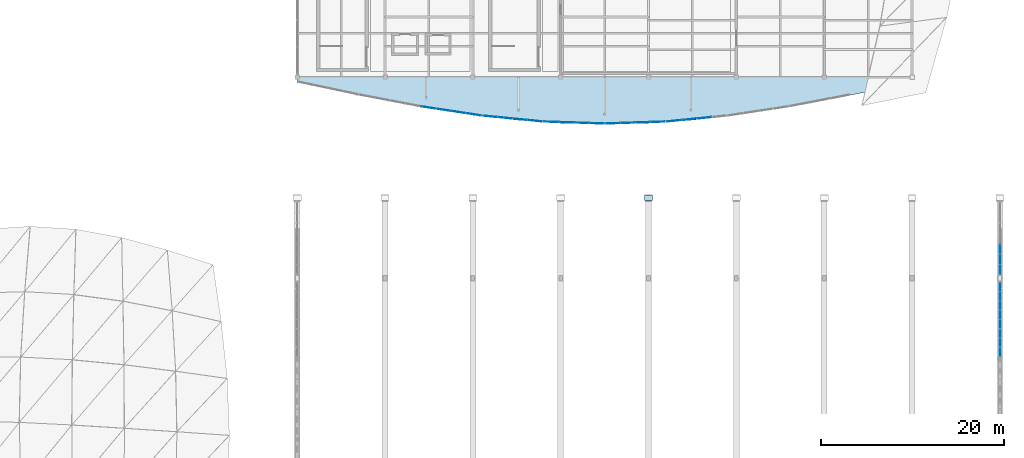
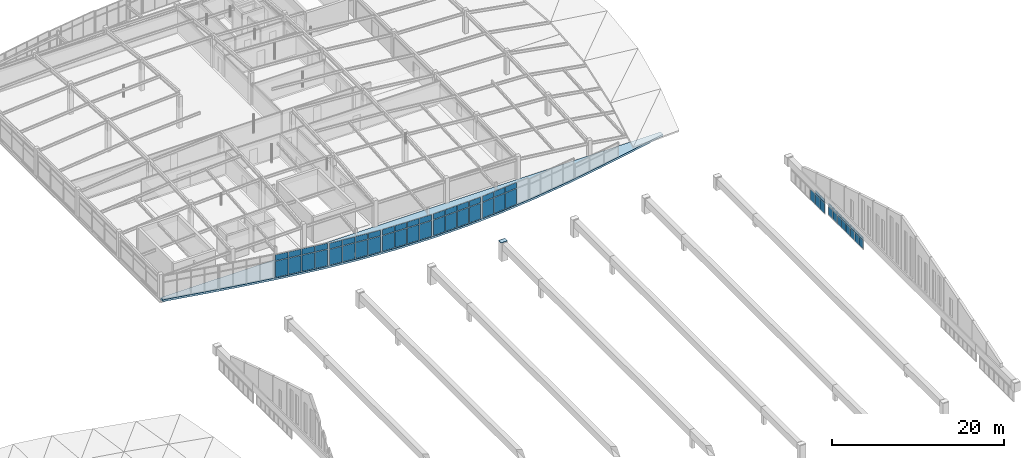
# One storey, part 54 of 65: 60 plates, 1 slab, 7 elements without a shape of their own.
"""IFC4 building model written with IfcOpenShell, lengths in metres."""

from ifc_helpers import new_model, si_unit, direction, frame, origin, origin_2d, place, context, subcontext, project, spatial, polyline, rectangle, outline, extrude, material, layer, layer_set, type_object, element, aggregate, save


model = new_model("IFC4")

# Units and contexts
model_context = context("Model", 3, precision=1e-05, world=origin(), true_north=direction((0.0, 1.0)))
body_context = subcontext(model_context, "Body", "Model", "MODEL_VIEW")
ifc_project = project(units=[si_unit("LENGTHUNIT", "METRE"), si_unit("AREAUNIT", "SQUARE_METRE"), si_unit("VOLUMEUNIT", "CUBIC_METRE"), si_unit("PLANEANGLEUNIT", "RADIAN"), si_unit("MASSUNIT", "GRAM", prefix="KILO")], contexts=[model_context])

# Site, building, storey
site_placement = place(None, origin())
site = spatial("IfcSite", under=ifc_project, at=site_placement, CompositionType="ELEMENT")
building_placement = place(site_placement, origin())
building = spatial("IfcBuilding", under=site, at=building_placement, Name="Chalmorin Arch Market", CompositionType="ELEMENT")
storey_placement = place(building_placement, frame((0.0, 0.0, 14.10009765625)))
storey = spatial("IfcBuildingStorey", under=building, at=storey_placement, Name="L03", CompositionType="ELEMENT", Elevation=14.10009765625)

# Plate
ifc_material_1 = material(Name="Steel A572 Grade 50", Category="steel")
ifc_layer_1 = layer(ifc_material_1, 0.035888671875)
ifc_layer_set_1 = layer_set([ifc_layer_1], Name="Steel A572 Grade 50")
plate_type_1 = type_object("IfcPlateType", Name="ArchSpringBasePlate-900x600x36", PredefinedType="SHEET", material=ifc_layer_set_1)
plate_1_placement = place(storey_placement, frame((86.39990234375, 58.800048828125, 2.60009765625), z_axis=(0.0, 0.0, 1.0), x_axis=(1.0, 0.0, 0.0)))
element("IfcPlate", 1, at=plate_1_placement, inside=storey, type_object=plate_type_1, Name="GP-02-038", PredefinedType="SHEET", context=body_context, shape_type="SweptSolid", body=[
    extrude(rectangle(XDim=0.89990234375, YDim=0.60009765625, at=origin_2d()), origin(), (0.0, 0.0, 1.0), 0.035888671875),
])

# Curtain wall, plates
ifc_material_2 = material(Name="Aluminium 6063-T6", Category="aluminium")
ifc_layer_2 = layer(ifc_material_2, 0.159912109375)
ifc_layer_set_2 = layer_set([ifc_layer_2], Name="Aluminium 6063-T6")
curtain_wall_type_1 = type_object("IfcCurtainWallType", Name="GableTympanumCurtainWall-CW4-8130x1780", PredefinedType="NOTDEFINED", material=ifc_layer_set_2)
curtain_wall_1_placement = place(storey_placement, origin())
curtain_wall_1 = element("IfcCurtainWall", 2, at=curtain_wall_1_placement, inside=storey, type_object=curtain_wall_type_1, Name="CW-04-043", PredefinedType="NOTDEFINED")
ifc_material_3 = material(Name="Powder-coated Aluminium Panel", Category="aluminium")
ifc_layer_3 = layer(ifc_material_3, 0.0400390625)
ifc_layer_set_3 = layer_set([ifc_layer_3], Name="Powder-coated Aluminium Panel")
plate_type_2 = type_object("IfcPlateType", Name="ShadowboxSpandrelPanel-40", PredefinedType="CURTAIN_PANEL", material=ifc_layer_set_3)
plate_2_placement = place(storey_placement, frame((124.800048828125, 41.970458984375, -0.269775390625), z_axis=(0.0, 0.0, 1.0), x_axis=(0.0, 1.0, 0.0)))
plate_2 = element("IfcPlate", 3, at=plate_2_placement, type_object=plate_type_2, Name="SP-40-043-01B", PredefinedType="CURTAIN_PANEL", context=body_context, shape_type="SweptSolid", body=[
    extrude(rectangle(XDim=0.935791015625, YDim=0.0400390625, at=origin_2d()), origin(), (0.0, 0.0, 1.0), 0.384765625),
])
plate_3_placement = place(storey_placement, frame((124.800048828125, 42.986328125, -0.269775390625), z_axis=(0.0, 0.0, 1.0), x_axis=(0.0, 1.0, 0.0)))
plate_3 = element("IfcPlate", 4, at=plate_3_placement, type_object=plate_type_2, Name="SP-40-043-02B", PredefinedType="CURTAIN_PANEL", context=body_context, shape_type="SweptSolid", body=[
    extrude(rectangle(XDim=0.935791015625, YDim=0.0400390625, at=origin_2d()), origin(), (0.0, 0.0, 1.0), 0.384765625),
])
plate_4_placement = place(storey_placement, frame((124.800048828125, 44.002197265625, -0.269775390625), z_axis=(0.0, 0.0, 1.0), x_axis=(0.0, 1.0, 0.0)))
plate_4 = element("IfcPlate", 5, at=plate_4_placement, type_object=plate_type_2, Name="SP-40-043-03B", PredefinedType="CURTAIN_PANEL", context=body_context, shape_type="SweptSolid", body=[
    extrude(rectangle(XDim=0.935791015625, YDim=0.0400390625, at=origin_2d()), origin(), (0.0, 0.0, 1.0), 0.384765625),
])
plate_5_placement = place(storey_placement, frame((124.800048828125, 45.018310546875, -0.269775390625), z_axis=(0.0, 0.0, 1.0), x_axis=(0.0, 1.0, 0.0)))
plate_5 = element("IfcPlate", 6, at=plate_5_placement, type_object=plate_type_2, Name="SP-40-043-04B", PredefinedType="CURTAIN_PANEL", context=body_context, shape_type="SweptSolid", body=[
    extrude(rectangle(XDim=0.935791015625, YDim=0.0400390625, at=origin_2d()), origin(), (0.0, 0.0, 1.0), 0.384765625),
])
plate_6_placement = place(storey_placement, frame((124.800048828125, 46.0341796875, -0.269775390625), z_axis=(0.0, 0.0, 1.0), x_axis=(0.0, 1.0, 0.0)))
plate_6 = element("IfcPlate", 7, at=plate_6_placement, type_object=plate_type_2, Name="SP-40-043-05B", PredefinedType="CURTAIN_PANEL", context=body_context, shape_type="SweptSolid", body=[
    extrude(rectangle(XDim=0.935791015625, YDim=0.0400390625, at=origin_2d()), origin(), (0.0, 0.0, 1.0), 0.384765625),
])
plate_7_placement = place(storey_placement, frame((124.800048828125, 47.050048828125, -0.269775390625), z_axis=(0.0, 0.0, 1.0), x_axis=(0.0, 1.0, 0.0)))
plate_7 = element("IfcPlate", 8, at=plate_7_placement, type_object=plate_type_2, Name="SP-40-043-06B", PredefinedType="CURTAIN_PANEL", context=body_context, shape_type="SweptSolid", body=[
    extrude(rectangle(XDim=0.935791015625, YDim=0.0400390625, at=origin_2d()), origin(), (0.0, 0.0, 1.0), 0.384765625),
])
plate_8_placement = place(storey_placement, frame((124.800048828125, 48.066162109375, -0.269775390625), z_axis=(0.0, 0.0, 1.0), x_axis=(0.0, 1.0, 0.0)))
plate_8 = element("IfcPlate", 9, at=plate_8_placement, type_object=plate_type_2, Name="SP-40-043-07B", PredefinedType="CURTAIN_PANEL", context=body_context, shape_type="SweptSolid", body=[
    extrude(rectangle(XDim=0.935791015625, YDim=0.0400390625, at=origin_2d()), origin(), (0.0, 0.0, 1.0), 0.384765625),
])
plate_9_placement = place(storey_placement, frame((124.800048828125, 49.08203125, -0.269775390625), z_axis=(0.0, 0.0, 1.0), x_axis=(0.0, 1.0, 0.0)))
plate_9 = element("IfcPlate", 10, at=plate_9_placement, type_object=plate_type_2, Name="SP-40-043-08B", PredefinedType="CURTAIN_PANEL", context=body_context, shape_type="SweptSolid", body=[
    extrude(rectangle(XDim=0.935791015625, YDim=0.0400390625, at=origin_2d()), origin(), (0.0, 0.0, 1.0), 0.384765625),
])

ifc_layer_4 = layer(ifc_material_2, 0.159912109375)
ifc_layer_set_4 = layer_set([ifc_layer_4], Name="Aluminium 6063-T6")
curtain_wall_type_2 = type_object("IfcCurtainWallType", Name="GableTympanumCurtainWall-CW4-7880x2180", PredefinedType="NOTDEFINED", material=ifc_layer_set_4)
curtain_wall_2_placement = place(storey_placement, origin())
curtain_wall_2 = element("IfcCurtainWall", 11, at=curtain_wall_2_placement, inside=storey, type_object=curtain_wall_type_2, Name="CW-04-044", PredefinedType="NOTDEFINED")
plate_10_placement = place(storey_placement, frame((124.800048828125, 50.972900390625, -0.3818359375), z_axis=(0.0, 0.0, 1.0), x_axis=(0.0, 1.0, 0.0)))
plate_10 = element("IfcPlate", 12, at=plate_10_placement, type_object=plate_type_2, Name="SP-40-044-01B", PredefinedType="CURTAIN_PANEL", context=body_context, shape_type="SweptSolid", body=[
    extrude(rectangle(XDim=1.045654296875, YDim=0.0400390625, at=origin_2d()), origin(), (0.0, 0.0, 1.0), 0.496826171875),
])
plate_11_placement = place(storey_placement, frame((124.800048828125, 52.0986328125, -0.3818359375), z_axis=(0.0, 0.0, 1.0), x_axis=(0.0, 1.0, 0.0)))
plate_11 = element("IfcPlate", 13, at=plate_11_placement, type_object=plate_type_2, Name="SP-40-044-02B", PredefinedType="CURTAIN_PANEL", context=body_context, shape_type="SweptSolid", body=[
    extrude(rectangle(XDim=1.045654296875, YDim=0.0400390625, at=origin_2d()), origin(), (0.0, 0.0, 1.0), 0.496826171875),
])

ifc_layer_5 = layer(ifc_material_2, 0.159912109375)
ifc_layer_set_5 = layer_set([ifc_layer_5], Name="Aluminium 6063-T6")
curtain_wall_type_3 = type_object("IfcCurtainWallType", Name="CulinaryStudioCurtainWall-CW3-6620x3330", PredefinedType="NOTDEFINED", material=ifc_layer_set_5)
curtain_wall_3_placement = place(storey_placement, origin())
curtain_wall_3 = element("IfcCurtainWall", 14, at=curtain_wall_3_placement, inside=storey, type_object=curtain_wall_type_3, Name="CW-03-158", PredefinedType="NOTDEFINED")
plate_12_placement = place(storey_placement, frame((62.3466796875, 68.6787109375, 2.4248046875), z_axis=(0.0, 0.0, 1.0), x_axis=(0.987688340595, -0.15643446504, 0.0)))
plate_12 = element("IfcPlate", 15, at=plate_12_placement, type_object=plate_type_2, Name="SP-40-158-01B", PredefinedType="CURTAIN_PANEL", context=body_context, shape_type="SweptSolid", body=[
    extrude(rectangle(XDim=1.57421875, YDim=0.0400390625, at=origin_2d()), origin(), (0.0, 0.0, 1.0), 0.818115234375),
])
plate_13_placement = place(storey_placement, frame((63.982421875, 68.43115234375, 2.4248046875), z_axis=(0.0, 0.0, 1.0), x_axis=(0.987688340595, -0.15643446504, 0.0)))
plate_13 = element("IfcPlate", 16, at=plate_13_placement, type_object=plate_type_2, Name="SP-40-158-02B", PredefinedType="CURTAIN_PANEL", context=body_context, shape_type="SweptSolid", body=[
    extrude(rectangle(XDim=1.57421875, YDim=0.0400390625, at=origin_2d()), origin(), (0.0, 0.0, 1.0), 0.818115234375),
])
plate_14_placement = place(storey_placement, frame((65.617919921875, 68.183837890625, 2.4248046875), z_axis=(0.0, 0.0, 1.0), x_axis=(0.987688340595, -0.15643446504, 0.0)))
plate_14 = element("IfcPlate", 17, at=plate_14_placement, type_object=plate_type_2, Name="SP-40-158-03B", PredefinedType="CURTAIN_PANEL", context=body_context, shape_type="SweptSolid", body=[
    extrude(rectangle(XDim=1.57421875, YDim=0.0400390625, at=origin_2d()), origin(), (0.0, 0.0, 1.0), 0.818115234375),
])
plate_15_placement = place(storey_placement, frame((67.253173828125, 67.936279296875, 2.4248046875), z_axis=(0.0, 0.0, 1.0), x_axis=(0.987688340595, -0.15643446504, 0.0)))
plate_15 = element("IfcPlate", 18, at=plate_15_placement, type_object=plate_type_2, Name="SP-40-158-04B", PredefinedType="CURTAIN_PANEL", context=body_context, shape_type="SweptSolid", body=[
    extrude(rectangle(XDim=1.57421875, YDim=0.0400390625, at=origin_2d()), origin(), (0.0, 0.0, 1.0), 0.818115234375),
])

ifc_layer_6 = layer(ifc_material_2, 0.159912109375)
ifc_layer_set_6 = layer_set([ifc_layer_6], Name="Aluminium 6063-T6")
curtain_wall_type_4 = type_object("IfcCurtainWallType", Name="CulinaryStudioCurtainWall-CW3-6570x3230", PredefinedType="NOTDEFINED", material=ifc_layer_set_6)
curtain_wall_4_placement = place(storey_placement, origin())
curtain_wall_4 = element("IfcCurtainWall", 19, at=curtain_wall_4_placement, inside=storey, type_object=curtain_wall_type_4, Name="CW-03-161", PredefinedType="NOTDEFINED")
plate_16_placement = place(storey_placement, frame((69.067138671875, 67.710693359375, 2.3505859375), z_axis=(0.0, 0.0, 1.0), x_axis=(0.994521895368, -0.104528463268, 0.0)))
plate_16 = element("IfcPlate", 20, at=plate_16_placement, type_object=plate_type_2, Name="SP-40-161-01B", PredefinedType="CURTAIN_PANEL", context=body_context, shape_type="SweptSolid", body=[
    extrude(rectangle(XDim=1.56298828125, YDim=0.0400390625, at=origin_2d()), origin(), (0.0, 0.0, 1.0), 0.789306640625),
])
plate_17_placement = place(storey_placement, frame((70.702392578125, 67.551513671875, 2.3505859375), z_axis=(0.0, 0.0, 1.0), x_axis=(0.994521895368, -0.104528463268, 0.0)))
plate_17 = element("IfcPlate", 21, at=plate_17_placement, type_object=plate_type_2, Name="SP-40-161-02B", PredefinedType="CURTAIN_PANEL", context=body_context, shape_type="SweptSolid", body=[
    extrude(rectangle(XDim=1.56298828125, YDim=0.0400390625, at=origin_2d()), origin(), (0.0, 0.0, 1.0), 0.789306640625),
])
plate_18_placement = place(storey_placement, frame((72.337646484375, 67.392333984375, 2.3505859375), z_axis=(0.0, 0.0, 1.0), x_axis=(0.994521895368, -0.104528463268, 0.0)))
plate_18 = element("IfcPlate", 22, at=plate_18_placement, type_object=plate_type_2, Name="SP-40-161-03B", PredefinedType="CURTAIN_PANEL", context=body_context, shape_type="SweptSolid", body=[
    extrude(rectangle(XDim=1.56298828125, YDim=0.0400390625, at=origin_2d()), origin(), (0.0, 0.0, 1.0), 0.789306640625),
])
plate_19_placement = place(storey_placement, frame((73.972900390625, 67.2333984375, 2.3505859375), z_axis=(0.0, 0.0, 1.0), x_axis=(0.994521895368, -0.104528463268, 0.0)))
plate_19 = element("IfcPlate", 23, at=plate_19_placement, type_object=plate_type_2, Name="SP-40-161-04B", PredefinedType="CURTAIN_PANEL", context=body_context, shape_type="SweptSolid", body=[
    extrude(rectangle(XDim=1.56298828125, YDim=0.0400390625, at=origin_2d()), origin(), (0.0, 0.0, 1.0), 0.789306640625),
])

ifc_layer_7 = layer(ifc_material_2, 0.159912109375)
ifc_layer_set_7 = layer_set([ifc_layer_7], Name="Aluminium 6063-T6")
curtain_wall_type_5 = type_object("IfcCurtainWallType", Name="CulinaryStudioCurtainWall-CW3-6540x3220", PredefinedType="NOTDEFINED", material=ifc_layer_set_7)
curtain_wall_5_placement = place(storey_placement, origin())
curtain_wall_5 = element("IfcCurtainWall", 24, at=curtain_wall_5_placement, inside=storey, type_object=curtain_wall_type_5, Name="CW-03-164", PredefinedType="NOTDEFINED")
plate_20_placement = place(storey_placement, frame((75.787353515625, 67.114501953125, 2.34326171875), z_axis=(0.0, 0.0, 1.0), x_axis=(0.999390827019, -0.034899496703, 0.0)))
plate_20 = element("IfcPlate", 25, at=plate_20_placement, type_object=plate_type_2, Name="SP-40-164-01B", PredefinedType="CURTAIN_PANEL", context=body_context, shape_type="SweptSolid", body=[
    extrude(rectangle(XDim=1.555908203125, YDim=0.0400390625, at=origin_2d()), origin(), (0.0, 0.0, 1.0), 0.78662109375),
])
plate_21_placement = place(storey_placement, frame((77.422607421875, 67.059814453125, 2.34326171875), z_axis=(0.0, 0.0, 1.0), x_axis=(0.999390827019, -0.034899496703, 0.0)))
plate_21 = element("IfcPlate", 26, at=plate_21_placement, type_object=plate_type_2, Name="SP-40-164-02B", PredefinedType="CURTAIN_PANEL", context=body_context, shape_type="SweptSolid", body=[
    extrude(rectangle(XDim=1.555908203125, YDim=0.0400390625, at=origin_2d()), origin(), (0.0, 0.0, 1.0), 0.78662109375),
])
plate_22_placement = place(storey_placement, frame((79.0576171875, 67.005126953125, 2.34326171875), z_axis=(0.0, 0.0, 1.0), x_axis=(0.999390827019, -0.034899496703, 0.0)))
plate_22 = element("IfcPlate", 27, at=plate_22_placement, type_object=plate_type_2, Name="SP-40-164-03B", PredefinedType="CURTAIN_PANEL", context=body_context, shape_type="SweptSolid", body=[
    extrude(rectangle(XDim=1.555908203125, YDim=0.0400390625, at=origin_2d()), origin(), (0.0, 0.0, 1.0), 0.78662109375),
])
plate_23_placement = place(storey_placement, frame((80.692626953125, 66.950439453125, 2.34326171875), z_axis=(0.0, 0.0, 1.0), x_axis=(0.999390827019, -0.034899496703, 0.0)))
plate_23 = element("IfcPlate", 28, at=plate_23_placement, type_object=plate_type_2, Name="SP-40-164-04B", PredefinedType="CURTAIN_PANEL", context=body_context, shape_type="SweptSolid", body=[
    extrude(rectangle(XDim=1.555908203125, YDim=0.0400390625, at=origin_2d()), origin(), (0.0, 0.0, 1.0), 0.78662109375),
])

curtain_wall_6_placement = place(storey_placement, origin())
curtain_wall_6 = element("IfcCurtainWall", 29, at=curtain_wall_6_placement, inside=storey, type_object=curtain_wall_type_5, Name="CW-03-167", PredefinedType="NOTDEFINED")
plate_24_placement = place(storey_placement, frame((82.50732421875, 66.950439453125, 2.34326171875), z_axis=(0.0, 0.0, 1.0), x_axis=(0.999390827019, 0.034899496703, 0.0)))
plate_24 = element("IfcPlate", 30, at=plate_24_placement, type_object=plate_type_2, Name="SP-40-167-01B", PredefinedType="CURTAIN_PANEL", context=body_context, shape_type="SweptSolid", body=[
    extrude(rectangle(XDim=1.555908203125, YDim=0.0400390625, at=origin_2d()), origin(), (0.0, 0.0, 1.0), 0.78662109375),
])
plate_25_placement = place(storey_placement, frame((84.142578125, 67.005126953125, 2.34326171875), z_axis=(0.0, 0.0, 1.0), x_axis=(0.999390827019, 0.034899496703, 0.0)))
plate_25 = element("IfcPlate", 31, at=plate_25_placement, type_object=plate_type_2, Name="SP-40-167-02B", PredefinedType="CURTAIN_PANEL", context=body_context, shape_type="SweptSolid", body=[
    extrude(rectangle(XDim=1.555908203125, YDim=0.0400390625, at=origin_2d()), origin(), (0.0, 0.0, 1.0), 0.78662109375),
])
plate_26_placement = place(storey_placement, frame((85.777587890625, 67.059814453125, 2.34326171875), z_axis=(0.0, 0.0, 1.0), x_axis=(0.999390827019, 0.034899496703, 0.0)))
plate_26 = element("IfcPlate", 32, at=plate_26_placement, type_object=plate_type_2, Name="SP-40-167-03B", PredefinedType="CURTAIN_PANEL", context=body_context, shape_type="SweptSolid", body=[
    extrude(rectangle(XDim=1.555908203125, YDim=0.0400390625, at=origin_2d()), origin(), (0.0, 0.0, 1.0), 0.78662109375),
])
plate_27_placement = place(storey_placement, frame((87.41259765625, 67.114501953125, 2.34326171875), z_axis=(0.0, 0.0, 1.0), x_axis=(0.999390827019, 0.034899496703, 0.0)))
plate_27 = element("IfcPlate", 33, at=plate_27_placement, type_object=plate_type_2, Name="SP-40-167-04B", PredefinedType="CURTAIN_PANEL", context=body_context, shape_type="SweptSolid", body=[
    extrude(rectangle(XDim=1.555908203125, YDim=0.0400390625, at=origin_2d()), origin(), (0.0, 0.0, 1.0), 0.78662109375),
])

ifc_layer_8 = layer(ifc_material_2, 0.159912109375)
ifc_layer_set_8 = layer_set([ifc_layer_8], Name="Aluminium 6063-T6")
curtain_wall_type_6 = type_object("IfcCurtainWallType", Name="CulinaryStudioCurtainWall-CW3-6570x3220", PredefinedType="NOTDEFINED", material=ifc_layer_set_8)
curtain_wall_7_placement = place(storey_placement, origin())
curtain_wall_7 = element("IfcCurtainWall", 34, at=curtain_wall_7_placement, inside=storey, type_object=curtain_wall_type_6, Name="CW-03-170", PredefinedType="NOTDEFINED")
plate_28_placement = place(storey_placement, frame((89.227294921875, 67.2333984375, 2.34619140625), z_axis=(0.0, 0.0, 1.0), x_axis=(0.994521895368, 0.104528463268, 0.0)))
plate_28 = element("IfcPlate", 35, at=plate_28_placement, type_object=plate_type_2, Name="SP-40-170-01B", PredefinedType="CURTAIN_PANEL", context=body_context, shape_type="SweptSolid", body=[
    extrude(rectangle(XDim=1.56298828125, YDim=0.0400390625, at=origin_2d()), origin(), (0.0, 0.0, 1.0), 0.78759765625),
])
plate_29_placement = place(storey_placement, frame((90.8623046875, 67.392333984375, 2.34619140625), z_axis=(0.0, 0.0, 1.0), x_axis=(0.994521895368, 0.104528463268, 0.0)))
plate_29 = element("IfcPlate", 36, at=plate_29_placement, type_object=plate_type_2, Name="SP-40-170-02B", PredefinedType="CURTAIN_PANEL", context=body_context, shape_type="SweptSolid", body=[
    extrude(rectangle(XDim=1.56298828125, YDim=0.0400390625, at=origin_2d()), origin(), (0.0, 0.0, 1.0), 0.78759765625),
])
plate_30_placement = place(storey_placement, frame((92.49755859375, 67.551513671875, 2.34619140625), z_axis=(0.0, 0.0, 1.0), x_axis=(0.994521895368, 0.104528463268, 0.0)))
plate_30 = element("IfcPlate", 37, at=plate_30_placement, type_object=plate_type_2, Name="SP-40-170-03B", PredefinedType="CURTAIN_PANEL", context=body_context, shape_type="SweptSolid", body=[
    extrude(rectangle(XDim=1.56298828125, YDim=0.0400390625, at=origin_2d()), origin(), (0.0, 0.0, 1.0), 0.78759765625),
])

# Slab
ifc_material_4 = material(Name="Concrete C40/50", Category="concrete")
ifc_layer_9 = layer(ifc_material_4, 0.280029296875)
ifc_layer_set_9 = layer_set([ifc_layer_9], Name="Concrete C40/50")
slab_type = type_object("IfcSlabType", Name="SuspendedFloorSlab-280", PredefinedType="FLOOR", material=ifc_layer_set_9)
slab_placement = place(storey_placement, frame((0.0, 0.0, -0.280029296875)))
element("IfcSlab", 38, at=slab_placement, inside=storey, type_object=slab_type, Name="FS-280-141", PredefinedType="FLOOR", context=body_context, shape_type="SweptSolid", body=[
    extrude(outline(polyline([(48.0, 71.97998046875), (115.199951171875, 71.97998046875), (115.199951171875, 71.449951171875), (110.39990234375, 70.426025390625), (105.60009765625, 69.4541015625), (100.800048828125, 68.58203125), (96.0, 67.85400390625), (91.199951171875, 67.305908203125), (86.39990234375, 66.965087890625), (81.60009765625, 66.85009765625), (76.800048828125, 66.965087890625), (72.0, 67.305908203125), (67.199951171875, 67.85400390625), (62.39990234375, 68.58203125), (57.60009765625, 69.4541015625), (52.800048828125, 70.426025390625), (48.0, 71.449951171875), (48.0, 71.97998046875)])), origin(), (0.0, 0.0, 1.0), 0.280029296875),
])

# Plate
ifc_material_5 = material(Name="Laminated Acoustic Glass", Category="glass")
ifc_layer_10 = layer(ifc_material_5, 0.031982421875)
ifc_layer_set_10 = layer_set([ifc_layer_10], Name="Laminated Acoustic Glass")
plate_type_3 = type_object("IfcPlateType", Name="TintedClerestoryGlass-32", PredefinedType="CURTAIN_PANEL", material=ifc_layer_set_10)
plate_31_placement = place(storey_placement, frame((124.800048828125, 41.970458984375, -1.5302734375), z_axis=(0.0, 0.0, 1.0), x_axis=(0.0, 1.0, 0.0)))
plate_31 = element("IfcPlate", 39, at=plate_31_placement, type_object=plate_type_3, Name="GL-32-043-01A", PredefinedType="CURTAIN_PANEL", context=body_context, shape_type="SweptSolid", body=[
    extrude(rectangle(XDim=0.935791015625, YDim=0.031982421875, at=origin_2d()), origin(), (0.0, 0.0, 1.0), 1.170166015625),
])

plate_32_placement = place(storey_placement, frame((124.800048828125, 42.986328125, -1.5302734375), z_axis=(0.0, 0.0, 1.0), x_axis=(0.0, 1.0, 0.0)))
plate_32 = element("IfcPlate", 40, at=plate_32_placement, type_object=plate_type_3, Name="GL-32-043-02A", PredefinedType="CURTAIN_PANEL", context=body_context, shape_type="SweptSolid", body=[
    extrude(rectangle(XDim=0.935791015625, YDim=0.031982421875, at=origin_2d()), origin(), (0.0, 0.0, 1.0), 1.170166015625),
])

plate_33_placement = place(storey_placement, frame((124.800048828125, 44.002197265625, -1.5302734375), z_axis=(0.0, 0.0, 1.0), x_axis=(0.0, 1.0, 0.0)))
plate_33 = element("IfcPlate", 41, at=plate_33_placement, type_object=plate_type_3, Name="GL-32-043-03A", PredefinedType="CURTAIN_PANEL", context=body_context, shape_type="SweptSolid", body=[
    extrude(rectangle(XDim=0.935791015625, YDim=0.031982421875, at=origin_2d()), origin(), (0.0, 0.0, 1.0), 1.170166015625),
])

plate_34_placement = place(storey_placement, frame((124.800048828125, 45.018310546875, -1.5302734375), z_axis=(0.0, 0.0, 1.0), x_axis=(0.0, 1.0, 0.0)))
plate_34 = element("IfcPlate", 42, at=plate_34_placement, type_object=plate_type_3, Name="GL-32-043-04A", PredefinedType="CURTAIN_PANEL", context=body_context, shape_type="SweptSolid", body=[
    extrude(rectangle(XDim=0.935791015625, YDim=0.031982421875, at=origin_2d()), origin(), (0.0, 0.0, 1.0), 1.170166015625),
])

plate_35_placement = place(storey_placement, frame((124.800048828125, 46.0341796875, -1.5302734375), z_axis=(0.0, 0.0, 1.0), x_axis=(0.0, 1.0, 0.0)))
plate_35 = element("IfcPlate", 43, at=plate_35_placement, type_object=plate_type_3, Name="GL-32-043-05A", PredefinedType="CURTAIN_PANEL", context=body_context, shape_type="SweptSolid", body=[
    extrude(rectangle(XDim=0.935791015625, YDim=0.031982421875, at=origin_2d()), origin(), (0.0, 0.0, 1.0), 1.170166015625),
])

plate_36_placement = place(storey_placement, frame((124.800048828125, 47.050048828125, -1.5302734375), z_axis=(0.0, 0.0, 1.0), x_axis=(0.0, 1.0, 0.0)))
plate_36 = element("IfcPlate", 44, at=plate_36_placement, type_object=plate_type_3, Name="GL-32-043-06A", PredefinedType="CURTAIN_PANEL", context=body_context, shape_type="SweptSolid", body=[
    extrude(rectangle(XDim=0.935791015625, YDim=0.031982421875, at=origin_2d()), origin(), (0.0, 0.0, 1.0), 1.170166015625),
])

plate_37_placement = place(storey_placement, frame((124.800048828125, 48.066162109375, -1.5302734375), z_axis=(0.0, 0.0, 1.0), x_axis=(0.0, 1.0, 0.0)))
plate_37 = element("IfcPlate", 45, at=plate_37_placement, type_object=plate_type_3, Name="GL-32-043-07A", PredefinedType="CURTAIN_PANEL", context=body_context, shape_type="SweptSolid", body=[
    extrude(rectangle(XDim=0.935791015625, YDim=0.031982421875, at=origin_2d()), origin(), (0.0, 0.0, 1.0), 1.170166015625),
])

plate_38_placement = place(storey_placement, frame((124.800048828125, 49.08203125, -1.5302734375), z_axis=(0.0, 0.0, 1.0), x_axis=(0.0, 1.0, 0.0)))
plate_38 = element("IfcPlate", 46, at=plate_38_placement, type_object=plate_type_3, Name="GL-32-043-08A", PredefinedType="CURTAIN_PANEL", context=body_context, shape_type="SweptSolid", body=[
    extrude(rectangle(XDim=0.935791015625, YDim=0.031982421875, at=origin_2d()), origin(), (0.0, 0.0, 1.0), 1.170166015625),
])

aggregate(curtain_wall_1, [plate_31, plate_2, plate_32, plate_3, plate_33, plate_4, plate_34, plate_5, plate_35, plate_6, plate_36, plate_7, plate_37, plate_8, plate_38, plate_9])

plate_39_placement = place(storey_placement, frame((124.800048828125, 50.972900390625, -1.93017578125), z_axis=(0.0, 0.0, 1.0), x_axis=(0.0, 1.0, 0.0)))
plate_39 = element("IfcPlate", 47, at=plate_39_placement, type_object=plate_type_3, Name="GL-32-044-01A", PredefinedType="CURTAIN_PANEL", context=body_context, shape_type="SweptSolid", body=[
    extrude(rectangle(XDim=1.045654296875, YDim=0.031982421875, at=origin_2d()), origin(), (0.0, 0.0, 1.0), 1.458251953125),
])

plate_40_placement = place(storey_placement, frame((124.800048828125, 52.0986328125, -1.93017578125), z_axis=(0.0, 0.0, 1.0), x_axis=(0.0, 1.0, 0.0)))
plate_40 = element("IfcPlate", 48, at=plate_40_placement, type_object=plate_type_3, Name="GL-32-044-02A", PredefinedType="CURTAIN_PANEL", context=body_context, shape_type="SweptSolid", body=[
    extrude(rectangle(XDim=1.045654296875, YDim=0.031982421875, at=origin_2d()), origin(), (0.0, 0.0, 1.0), 1.458251953125),
])

plate_41_placement = place(storey_placement, frame((124.800048828125, 53.224365234375, -1.93017578125), z_axis=(0.0, 0.0, 1.0), x_axis=(0.0, 1.0, 0.0)))
plate_41 = element("IfcPlate", 49, at=plate_41_placement, type_object=plate_type_3, Name="GL-32-044-03A", PredefinedType="CURTAIN_PANEL", context=body_context, shape_type="SweptSolid", body=[
    extrude(rectangle(XDim=1.045654296875, YDim=0.031982421875, at=origin_2d()), origin(), (0.0, 0.0, 1.0), 1.458251953125),
])

aggregate(curtain_wall_2, [plate_39, plate_10, plate_40, plate_11, plate_41])

ifc_material_6 = material(Name="Low-E Tempered Glass", Category="glass")
ifc_layer_11 = layer(ifc_material_6, 0.028076171875)
ifc_layer_set_11 = layer_set([ifc_layer_11], Name="Low-E Tempered Glass")
plate_type_4 = type_object("IfcPlateType", Name="VisionIGUPanel-28", PredefinedType="CURTAIN_PANEL", material=ifc_layer_set_11)
plate_42_placement = place(storey_placement, frame((62.3466796875, 68.6787109375, 0.0498046875), z_axis=(0.0, 0.0, 1.0), x_axis=(0.987688340595, -0.15643446504, 0.0)))
plate_42 = element("IfcPlate", 50, at=plate_42_placement, type_object=plate_type_4, Name="GL-28-158-01A", PredefinedType="CURTAIN_PANEL", context=body_context, shape_type="SweptSolid", body=[
    extrude(rectangle(XDim=1.57421875, YDim=0.028076171875, at=origin_2d()), origin(), (0.0, 0.0, 1.0), 2.284912109375),
])

plate_43_placement = place(storey_placement, frame((63.982421875, 68.43115234375, 0.0498046875), z_axis=(0.0, 0.0, 1.0), x_axis=(0.987688340595, -0.15643446504, 0.0)))
plate_43 = element("IfcPlate", 51, at=plate_43_placement, type_object=plate_type_4, Name="GL-28-158-02A", PredefinedType="CURTAIN_PANEL", context=body_context, shape_type="SweptSolid", body=[
    extrude(rectangle(XDim=1.57421875, YDim=0.028076171875, at=origin_2d()), origin(), (0.0, 0.0, 1.0), 2.284912109375),
])

plate_44_placement = place(storey_placement, frame((65.617919921875, 68.183837890625, 0.0498046875), z_axis=(0.0, 0.0, 1.0), x_axis=(0.987688340595, -0.15643446504, 0.0)))
plate_44 = element("IfcPlate", 52, at=plate_44_placement, type_object=plate_type_4, Name="GL-28-158-03A", PredefinedType="CURTAIN_PANEL", context=body_context, shape_type="SweptSolid", body=[
    extrude(rectangle(XDim=1.57421875, YDim=0.028076171875, at=origin_2d()), origin(), (0.0, 0.0, 1.0), 2.284912109375),
])

plate_45_placement = place(storey_placement, frame((67.253173828125, 67.936279296875, 0.0498046875), z_axis=(0.0, 0.0, 1.0), x_axis=(0.987688340595, -0.15643446504, 0.0)))
plate_45 = element("IfcPlate", 53, at=plate_45_placement, type_object=plate_type_4, Name="GL-28-158-04A", PredefinedType="CURTAIN_PANEL", context=body_context, shape_type="SweptSolid", body=[
    extrude(rectangle(XDim=1.57421875, YDim=0.028076171875, at=origin_2d()), origin(), (0.0, 0.0, 1.0), 2.284912109375),
])

aggregate(curtain_wall_3, [plate_42, plate_12, plate_43, plate_13, plate_44, plate_14, plate_45, plate_15])

plate_46_placement = place(storey_placement, frame((69.067138671875, 67.710693359375, 0.0498046875), z_axis=(0.0, 0.0, 1.0), x_axis=(0.994521895368, -0.104528463268, 0.0)))
plate_46 = element("IfcPlate", 54, at=plate_46_placement, type_object=plate_type_4, Name="GL-28-161-01A", PredefinedType="CURTAIN_PANEL", context=body_context, shape_type="SweptSolid", body=[
    extrude(rectangle(XDim=1.56298828125, YDim=0.028076171875, at=origin_2d()), origin(), (0.0, 0.0, 1.0), 2.210693359375),
])

plate_47_placement = place(storey_placement, frame((70.702392578125, 67.551513671875, 0.0498046875), z_axis=(0.0, 0.0, 1.0), x_axis=(0.994521895368, -0.104528463268, 0.0)))
plate_47 = element("IfcPlate", 55, at=plate_47_placement, type_object=plate_type_4, Name="GL-28-161-02A", PredefinedType="CURTAIN_PANEL", context=body_context, shape_type="SweptSolid", body=[
    extrude(rectangle(XDim=1.56298828125, YDim=0.028076171875, at=origin_2d()), origin(), (0.0, 0.0, 1.0), 2.210693359375),
])

plate_48_placement = place(storey_placement, frame((72.337646484375, 67.392333984375, 0.0498046875), z_axis=(0.0, 0.0, 1.0), x_axis=(0.994521895368, -0.104528463268, 0.0)))
plate_48 = element("IfcPlate", 56, at=plate_48_placement, type_object=plate_type_4, Name="GL-28-161-03A", PredefinedType="CURTAIN_PANEL", context=body_context, shape_type="SweptSolid", body=[
    extrude(rectangle(XDim=1.56298828125, YDim=0.028076171875, at=origin_2d()), origin(), (0.0, 0.0, 1.0), 2.210693359375),
])

plate_49_placement = place(storey_placement, frame((73.972900390625, 67.2333984375, 0.0498046875), z_axis=(0.0, 0.0, 1.0), x_axis=(0.994521895368, -0.104528463268, 0.0)))
plate_49 = element("IfcPlate", 57, at=plate_49_placement, type_object=plate_type_4, Name="GL-28-161-04A", PredefinedType="CURTAIN_PANEL", context=body_context, shape_type="SweptSolid", body=[
    extrude(rectangle(XDim=1.56298828125, YDim=0.028076171875, at=origin_2d()), origin(), (0.0, 0.0, 1.0), 2.210693359375),
])

aggregate(curtain_wall_4, [plate_46, plate_16, plate_47, plate_17, plate_48, plate_18, plate_49, plate_19])

plate_50_placement = place(storey_placement, frame((75.787353515625, 67.114501953125, 0.0498046875), z_axis=(0.0, 0.0, 1.0), x_axis=(0.999390827019, -0.034899496703, 0.0)))
plate_50 = element("IfcPlate", 58, at=plate_50_placement, type_object=plate_type_4, Name="GL-28-164-01A", PredefinedType="CURTAIN_PANEL", context=body_context, shape_type="SweptSolid", body=[
    extrude(rectangle(XDim=1.555908203125, YDim=0.028076171875, at=origin_2d()), origin(), (0.0, 0.0, 1.0), 2.203369140625),
])

plate_51_placement = place(storey_placement, frame((77.422607421875, 67.059814453125, 0.0498046875), z_axis=(0.0, 0.0, 1.0), x_axis=(0.999390827019, -0.034899496703, 0.0)))
plate_51 = element("IfcPlate", 59, at=plate_51_placement, type_object=plate_type_4, Name="GL-28-164-02A", PredefinedType="CURTAIN_PANEL", context=body_context, shape_type="SweptSolid", body=[
    extrude(rectangle(XDim=1.555908203125, YDim=0.028076171875, at=origin_2d()), origin(), (0.0, 0.0, 1.0), 2.203369140625),
])

plate_52_placement = place(storey_placement, frame((79.0576171875, 67.005126953125, 0.0498046875), z_axis=(0.0, 0.0, 1.0), x_axis=(0.999390827019, -0.034899496703, 0.0)))
plate_52 = element("IfcPlate", 60, at=plate_52_placement, type_object=plate_type_4, Name="GL-28-164-03A", PredefinedType="CURTAIN_PANEL", context=body_context, shape_type="SweptSolid", body=[
    extrude(rectangle(XDim=1.555908203125, YDim=0.028076171875, at=origin_2d()), origin(), (0.0, 0.0, 1.0), 2.203369140625),
])

plate_53_placement = place(storey_placement, frame((80.692626953125, 66.950439453125, 0.0498046875), z_axis=(0.0, 0.0, 1.0), x_axis=(0.999390827019, -0.034899496703, 0.0)))
plate_53 = element("IfcPlate", 61, at=plate_53_placement, type_object=plate_type_4, Name="GL-28-164-04A", PredefinedType="CURTAIN_PANEL", context=body_context, shape_type="SweptSolid", body=[
    extrude(rectangle(XDim=1.555908203125, YDim=0.028076171875, at=origin_2d()), origin(), (0.0, 0.0, 1.0), 2.203369140625),
])

aggregate(curtain_wall_5, [plate_50, plate_20, plate_51, plate_21, plate_52, plate_22, plate_53, plate_23])

plate_54_placement = place(storey_placement, frame((82.50732421875, 66.950439453125, 0.0498046875), z_axis=(0.0, 0.0, 1.0), x_axis=(0.999390827019, 0.034899496703, 0.0)))
plate_54 = element("IfcPlate", 62, at=plate_54_placement, type_object=plate_type_4, Name="GL-28-167-01A", PredefinedType="CURTAIN_PANEL", context=body_context, shape_type="SweptSolid", body=[
    extrude(rectangle(XDim=1.555908203125, YDim=0.028076171875, at=origin_2d()), origin(), (0.0, 0.0, 1.0), 2.203369140625),
])

plate_55_placement = place(storey_placement, frame((84.142578125, 67.005126953125, 0.0498046875), z_axis=(0.0, 0.0, 1.0), x_axis=(0.999390827019, 0.034899496703, 0.0)))
plate_55 = element("IfcPlate", 63, at=plate_55_placement, type_object=plate_type_4, Name="GL-28-167-02A", PredefinedType="CURTAIN_PANEL", context=body_context, shape_type="SweptSolid", body=[
    extrude(rectangle(XDim=1.555908203125, YDim=0.028076171875, at=origin_2d()), origin(), (0.0, 0.0, 1.0), 2.203369140625),
])

plate_56_placement = place(storey_placement, frame((85.777587890625, 67.059814453125, 0.0498046875), z_axis=(0.0, 0.0, 1.0), x_axis=(0.999390827019, 0.034899496703, 0.0)))
plate_56 = element("IfcPlate", 64, at=plate_56_placement, type_object=plate_type_4, Name="GL-28-167-03A", PredefinedType="CURTAIN_PANEL", context=body_context, shape_type="SweptSolid", body=[
    extrude(rectangle(XDim=1.555908203125, YDim=0.028076171875, at=origin_2d()), origin(), (0.0, 0.0, 1.0), 2.203369140625),
])

plate_57_placement = place(storey_placement, frame((87.41259765625, 67.114501953125, 0.0498046875), z_axis=(0.0, 0.0, 1.0), x_axis=(0.999390827019, 0.034899496703, 0.0)))
plate_57 = element("IfcPlate", 65, at=plate_57_placement, type_object=plate_type_4, Name="GL-28-167-04A", PredefinedType="CURTAIN_PANEL", context=body_context, shape_type="SweptSolid", body=[
    extrude(rectangle(XDim=1.555908203125, YDim=0.028076171875, at=origin_2d()), origin(), (0.0, 0.0, 1.0), 2.203369140625),
])

aggregate(curtain_wall_6, [plate_54, plate_24, plate_55, plate_25, plate_56, plate_26, plate_57, plate_27])

plate_58_placement = place(storey_placement, frame((89.227294921875, 67.2333984375, 0.0498046875), z_axis=(0.0, 0.0, 1.0), x_axis=(0.994521895368, 0.104528463268, 0.0)))
plate_58 = element("IfcPlate", 66, at=plate_58_placement, type_object=plate_type_4, Name="GL-28-170-01A", PredefinedType="CURTAIN_PANEL", context=body_context, shape_type="SweptSolid", body=[
    extrude(rectangle(XDim=1.56298828125, YDim=0.028076171875, at=origin_2d()), origin(), (0.0, 0.0, 1.0), 2.206298828125),
])

plate_59_placement = place(storey_placement, frame((90.8623046875, 67.392333984375, 0.0498046875), z_axis=(0.0, 0.0, 1.0), x_axis=(0.994521895368, 0.104528463268, 0.0)))
plate_59 = element("IfcPlate", 67, at=plate_59_placement, type_object=plate_type_4, Name="GL-28-170-02A", PredefinedType="CURTAIN_PANEL", context=body_context, shape_type="SweptSolid", body=[
    extrude(rectangle(XDim=1.56298828125, YDim=0.028076171875, at=origin_2d()), origin(), (0.0, 0.0, 1.0), 2.206298828125),
])

plate_60_placement = place(storey_placement, frame((92.49755859375, 67.551513671875, 0.0498046875), z_axis=(0.0, 0.0, 1.0), x_axis=(0.994521895368, 0.104528463268, 0.0)))
plate_60 = element("IfcPlate", 68, at=plate_60_placement, type_object=plate_type_4, Name="GL-28-170-03A", PredefinedType="CURTAIN_PANEL", context=body_context, shape_type="SweptSolid", body=[
    extrude(rectangle(XDim=1.56298828125, YDim=0.028076171875, at=origin_2d()), origin(), (0.0, 0.0, 1.0), 2.206298828125),
])

aggregate(curtain_wall_7, [plate_58, plate_28, plate_59, plate_29, plate_60, plate_30])

save(model, "model.ifc")
